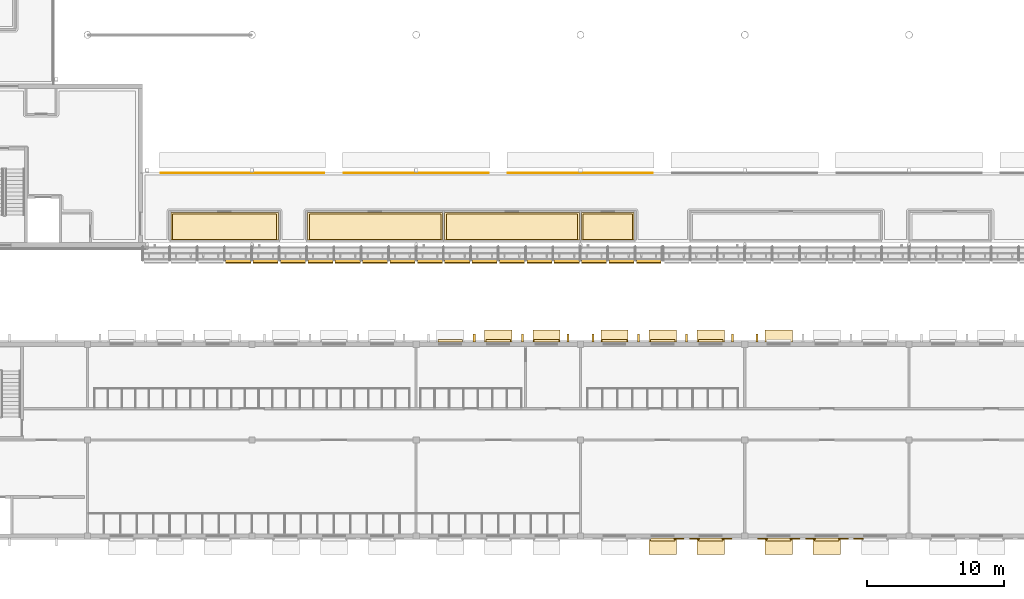
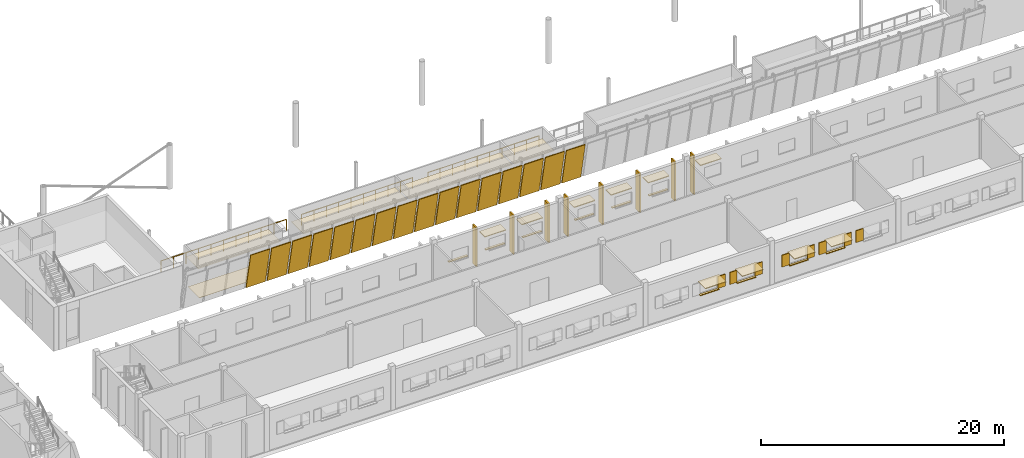
# One storey, part 99 of 115: 32 shading devices, 28 coverings, 3 railings.
"""IFC4 building model written with IfcOpenShell, lengths in metres."""

from ifc_helpers import new_model, si_unit, direction, frame, origin, origin_2d, place, context, subcontext, project, spatial, polyline, circle, outline, extrude, material, layer, layer_set, type_object, element, save


model = new_model("IFC4")

# Units and contexts
model_context = context("Model", 3, precision=1e-05, world=origin(), true_north=direction((0.0, 1.0)))
body_context = subcontext(model_context, "Body", "Model", "MODEL_VIEW")
ifc_project = project(units=[si_unit("LENGTHUNIT", "METRE"), si_unit("AREAUNIT", "SQUARE_METRE"), si_unit("VOLUMEUNIT", "CUBIC_METRE"), si_unit("PLANEANGLEUNIT", "RADIAN"), si_unit("MASSUNIT", "GRAM", prefix="KILO")], contexts=[model_context])

# Site, building, storey
site_placement = place(None, origin())
site = spatial("IfcSite", under=ifc_project, at=site_placement, CompositionType="ELEMENT")
building_placement = place(site_placement, origin())
building = spatial("IfcBuilding", under=site, at=building_placement, Name="Windward Yard Aquatics Centre", CompositionType="ELEMENT")
storey_placement = place(building_placement, frame((0.0, 0.0, 5.0)))
storey = spatial("IfcBuildingStorey", under=building, at=storey_placement, Name="L01", CompositionType="ELEMENT", Elevation=5.0)

# Shading devices
ifc_material_1 = material(Name="Aluminium louvre blades, powder coated", Category="aluminium")
ifc_layer_1 = layer(ifc_material_1, 0.080078125)
ifc_layer_set_1 = layer_set([ifc_layer_1], Name="C storm shutter louvred 700x1200")
shading_device_type_1 = type_object("IfcShadingDeviceType", Name="C storm shutter louvred 700x1200", PredefinedType="SHUTTER", material=ifc_layer_set_1)
shading_device_1_placement = place(storey_placement, frame((0.0, 0.0, 1.39990234375)))
element("IfcShadingDevice", 1, at=shading_device_1_placement, inside=storey, type_object=shading_device_type_1, Name="Storm shutter CW1011R", PredefinedType="SHUTTER", context=body_context, shape_type="SweptSolid", body=[
    extrude(outline(polyline([(102.85009765625, 4.77001953125), (102.85009765625, 4.85009765625), (103.550048828125, 4.85009765625), (103.550048828125, 4.77001953125), (102.85009765625, 4.77001953125)])), origin(), (0.0, 0.0, 1.0), 1.2001953125),
])
shading_device_2_placement = place(storey_placement, frame((0.0, 0.0, 1.39990234375)))
element("IfcShadingDevice", 2, at=shading_device_2_placement, inside=storey, type_object=shading_device_type_1, Name="Storm shutter CW1012L", PredefinedType="SHUTTER", context=body_context, shape_type="SweptSolid", body=[
    extrude(outline(polyline([(103.966796875, 4.77001953125), (103.966796875, 4.85009765625), (104.666748046875, 4.85009765625), (104.666748046875, 4.77001953125), (103.966796875, 4.77001953125)])), origin(), (0.0, 0.0, 1.0), 1.2001953125),
])
shading_device_3_placement = place(storey_placement, frame((0.0, 0.0, 1.39990234375)))
element("IfcShadingDevice", 3, at=shading_device_3_placement, inside=storey, type_object=shading_device_type_1, Name="Storm shutter CW1012R", PredefinedType="SHUTTER", context=body_context, shape_type="SweptSolid", body=[
    extrude(outline(polyline([(106.36669921875, 4.77001953125), (106.36669921875, 4.85009765625), (107.066650390625, 4.85009765625), (107.066650390625, 4.77001953125), (106.36669921875, 4.77001953125)])), origin(), (0.0, 0.0, 1.0), 1.2001953125),
])
shading_device_4_placement = place(storey_placement, frame((0.0, 0.0, 1.39990234375)))
element("IfcShadingDevice", 4, at=shading_device_4_placement, inside=storey, type_object=shading_device_type_1, Name="Storm shutter CW1013L", PredefinedType="SHUTTER", context=body_context, shape_type="SweptSolid", body=[
    extrude(outline(polyline([(108.933349609375, 4.77001953125), (108.933349609375, 4.85009765625), (109.63330078125, 4.85009765625), (109.63330078125, 4.77001953125), (108.933349609375, 4.77001953125)])), origin(), (0.0, 0.0, 1.0), 1.2001953125),
])
shading_device_5_placement = place(storey_placement, frame((0.0, 0.0, 1.39990234375)))
element("IfcShadingDevice", 5, at=shading_device_5_placement, inside=storey, type_object=shading_device_type_1, Name="Storm shutter CW1013R", PredefinedType="SHUTTER", context=body_context, shape_type="SweptSolid", body=[
    extrude(outline(polyline([(111.333251953125, 4.77001953125), (111.333251953125, 4.85009765625), (112.033203125, 4.85009765625), (112.033203125, 4.77001953125), (111.333251953125, 4.77001953125)])), origin(), (0.0, 0.0, 1.0), 1.2001953125),
])
shading_device_6_placement = place(storey_placement, frame((0.0, 0.0, 1.39990234375)))
element("IfcShadingDevice", 6, at=shading_device_6_placement, inside=storey, type_object=shading_device_type_1, Name="Storm shutter CW1014L", PredefinedType="SHUTTER", context=body_context, shape_type="SweptSolid", body=[
    extrude(outline(polyline([(112.449951171875, 4.77001953125), (112.449951171875, 4.85009765625), (113.14990234375, 4.85009765625), (113.14990234375, 4.77001953125), (112.449951171875, 4.77001953125)])), origin(), (0.0, 0.0, 1.0), 1.2001953125),
])
shading_device_7_placement = place(storey_placement, frame((0.0, 0.0, 1.39990234375)))
element("IfcShadingDevice", 7, at=shading_device_7_placement, inside=storey, type_object=shading_device_type_1, Name="Storm shutter CW1014R", PredefinedType="SHUTTER", context=body_context, shape_type="SweptSolid", body=[
    extrude(outline(polyline([(114.85009765625, 4.77001953125), (114.85009765625, 4.85009765625), (115.550048828125, 4.85009765625), (115.550048828125, 4.77001953125), (114.85009765625, 4.77001953125)])), origin(), (0.0, 0.0, 1.0), 1.2001953125),
])
shading_device_8_placement = place(storey_placement, frame((0.0, 0.0, 1.39990234375)))
element("IfcShadingDevice", 8, at=shading_device_8_placement, inside=storey, type_object=shading_device_type_1, Name="Storm shutter CW1015L", PredefinedType="SHUTTER", context=body_context, shape_type="SweptSolid", body=[
    extrude(outline(polyline([(115.966796875, 4.77001953125), (115.966796875, 4.85009765625), (116.666748046875, 4.85009765625), (116.666748046875, 4.77001953125), (115.966796875, 4.77001953125)])), origin(), (0.0, 0.0, 1.0), 1.2001953125),
])
ifc_material_2 = material(Name="Aluminium fin, powder coated", Category="aluminium")
shading_device_type_2 = type_object("IfcShadingDeviceType", Name="C vertical fin 150x600", PredefinedType="USERDEFINED", material=ifc_material_2)
shading_device_9_placement = place(storey_placement, origin())
element("IfcShadingDevice", 9, at=shading_device_9_placement, inside=storey, type_object=shading_device_type_2, Name="Vertical fin C.W.L01.N4.2.1", ObjectType="FIN", PredefinedType="USERDEFINED", context=body_context, shape_type="SweptSolid", body=[
    extrude(outline(polyline([(88.16650390625, 19.14990234375), (88.316650390625, 19.14990234375), (88.316650390625, 19.75), (88.16650390625, 19.75), (88.16650390625, 19.14990234375)])), origin(), (0.0, 0.0, 1.0), 3.929931640625),
])
shading_device_10_placement = place(storey_placement, origin())
element("IfcShadingDevice", 10, at=shading_device_10_placement, inside=storey, type_object=shading_device_type_2, Name="Vertical fin C.W.L01.N4.3.1", ObjectType="FIN", PredefinedType="USERDEFINED", context=body_context, shape_type="SweptSolid", body=[
    extrude(outline(polyline([(91.683349609375, 19.14990234375), (91.833251953125, 19.14990234375), (91.833251953125, 19.75), (91.683349609375, 19.75), (91.683349609375, 19.14990234375)])), origin(), (0.0, 0.0, 1.0), 3.929931640625),
])
shading_device_11_placement = place(storey_placement, origin())
element("IfcShadingDevice", 11, at=shading_device_11_placement, inside=storey, type_object=shading_device_type_2, Name="Vertical fin C.W.L01.N4.4.1", ObjectType="FIN", PredefinedType="USERDEFINED", context=body_context, shape_type="SweptSolid", body=[
    extrude(outline(polyline([(95.020751953125, 19.14990234375), (95.1708984375, 19.14990234375), (95.1708984375, 19.75), (95.020751953125, 19.75), (95.020751953125, 19.14990234375)])), origin(), (0.0, 0.0, 1.0), 3.929931640625),
])
shading_device_12_placement = place(storey_placement, origin())
element("IfcShadingDevice", 12, at=shading_device_12_placement, inside=storey, type_object=shading_device_type_2, Name="Vertical fin C.W.L01.N5.1.1", ObjectType="FIN", PredefinedType="USERDEFINED", context=body_context, shape_type="SweptSolid", body=[
    extrude(outline(polyline([(96.8291015625, 19.14990234375), (96.97900390625, 19.14990234375), (96.97900390625, 19.75), (96.8291015625, 19.75), (96.8291015625, 19.14990234375)])), origin(), (0.0, 0.0, 1.0), 3.929931640625),
])
shading_device_13_placement = place(storey_placement, origin())
element("IfcShadingDevice", 13, at=shading_device_13_placement, inside=storey, type_object=shading_device_type_2, Name="Vertical fin C.W.L01.N5.2.1", ObjectType="FIN", PredefinedType="USERDEFINED", context=body_context, shape_type="SweptSolid", body=[
    extrude(outline(polyline([(100.16650390625, 19.14990234375), (100.316650390625, 19.14990234375), (100.316650390625, 19.75), (100.16650390625, 19.75), (100.16650390625, 19.14990234375)])), origin(), (0.0, 0.0, 1.0), 3.929931640625),
])
shading_device_14_placement = place(storey_placement, origin())
element("IfcShadingDevice", 14, at=shading_device_14_placement, inside=storey, type_object=shading_device_type_2, Name="Vertical fin C.W.L01.N5.3.1", ObjectType="FIN", PredefinedType="USERDEFINED", context=body_context, shape_type="SweptSolid", body=[
    extrude(outline(polyline([(103.683349609375, 19.14990234375), (103.833251953125, 19.14990234375), (103.833251953125, 19.75), (103.683349609375, 19.75), (103.683349609375, 19.14990234375)])), origin(), (0.0, 0.0, 1.0), 3.929931640625),
])
shading_device_15_placement = place(storey_placement, origin())
element("IfcShadingDevice", 15, at=shading_device_15_placement, inside=storey, type_object=shading_device_type_2, Name="Vertical fin C.W.L01.N5.4.1", ObjectType="FIN", PredefinedType="USERDEFINED", context=body_context, shape_type="SweptSolid", body=[
    extrude(outline(polyline([(107.020751953125, 19.14990234375), (107.1708984375, 19.14990234375), (107.1708984375, 19.75), (107.020751953125, 19.75), (107.020751953125, 19.14990234375)])), origin(), (0.0, 0.0, 1.0), 3.929931640625),
])
shading_device_16_placement = place(storey_placement, origin())
element("IfcShadingDevice", 16, at=shading_device_16_placement, inside=storey, type_object=shading_device_type_2, Name="Vertical fin C.W.L01.N6.1.1", ObjectType="FIN", PredefinedType="USERDEFINED", context=body_context, shape_type="SweptSolid", body=[
    extrude(outline(polyline([(108.8291015625, 19.14990234375), (108.97900390625, 19.14990234375), (108.97900390625, 19.75), (108.8291015625, 19.75), (108.8291015625, 19.14990234375)])), origin(), (0.0, 0.0, 1.0), 3.929931640625),
])

# Coverings
ifc_material_3 = material(Name="Aluminium composite hood, powder coated", Category="aluminium")
ifc_layer_2 = layer(ifc_material_3, 0.080078125)
ifc_layer_set_2 = layer_set([ifc_layer_2], Name="C window hood aluminium 2000x1200")
covering_type_1 = type_object("IfcCoveringType", Name="C window hood aluminium 2000x1200", PredefinedType="CLADDING", material=ifc_layer_set_2)
covering_1_placement = place(storey_placement, frame((0.0, 0.0, 2.64990234375)))
element("IfcCovering", 17, at=covering_1_placement, inside=storey, type_object=covering_type_1, Name="Window hood CW1011", PredefinedType="CLADDING", context=body_context, shape_type="SweptSolid", body=[
    extrude(outline(polyline([(101.0, 3.64990234375), (101.0, 4.85009765625), (103.0, 4.85009765625), (103.0, 3.64990234375), (101.0, 3.64990234375)])), origin(), (0.0, 0.0, 1.0), 0.080078125),
])
covering_2_placement = place(storey_placement, frame((0.0, 0.0, 2.64990234375)))
element("IfcCovering", 18, at=covering_2_placement, inside=storey, type_object=covering_type_1, Name="Window hood CW1012", PredefinedType="CLADDING", context=body_context, shape_type="SweptSolid", body=[
    extrude(outline(polyline([(104.5166015625, 3.64990234375), (104.5166015625, 4.85009765625), (106.5166015625, 4.85009765625), (106.5166015625, 3.64990234375), (104.5166015625, 3.64990234375)])), origin(), (0.0, 0.0, 1.0), 0.080078125),
])
covering_3_placement = place(storey_placement, frame((0.0, 0.0, 2.64990234375)))
element("IfcCovering", 19, at=covering_3_placement, inside=storey, type_object=covering_type_1, Name="Window hood CW1013", PredefinedType="CLADDING", context=body_context, shape_type="SweptSolid", body=[
    extrude(outline(polyline([(109.4833984375, 3.64990234375), (109.4833984375, 4.85009765625), (111.4833984375, 4.85009765625), (111.4833984375, 3.64990234375), (109.4833984375, 3.64990234375)])), origin(), (0.0, 0.0, 1.0), 0.080078125),
])
covering_4_placement = place(storey_placement, frame((0.0, 0.0, 2.64990234375)))
element("IfcCovering", 20, at=covering_4_placement, inside=storey, type_object=covering_type_1, Name="Window hood CW1014", PredefinedType="CLADDING", context=body_context, shape_type="SweptSolid", body=[
    extrude(outline(polyline([(113.0, 3.64990234375), (113.0, 4.85009765625), (115.0, 4.85009765625), (115.0, 3.64990234375), (113.0, 3.64990234375)])), origin(), (0.0, 0.0, 1.0), 0.080078125),
])
ifc_layer_3 = layer(ifc_material_3, 0.080078125)
ifc_layer_set_3 = layer_set([ifc_layer_3], Name="C window hood aluminium 2000x900")
covering_type_2 = type_object("IfcCoveringType", Name="C window hood aluminium 2000x900", PredefinedType="CLADDING", material=ifc_layer_set_3)
covering_5_placement = place(storey_placement, frame((0.0, 0.0, 2.64990234375)))
element("IfcCovering", 21, at=covering_5_placement, inside=storey, type_object=covering_type_2, Name="Window hood CW1029", PredefinedType="CLADDING", context=body_context, shape_type="SweptSolid", body=[
    extrude(outline(polyline([(89.0, 19.14990234375), (91.0, 19.14990234375), (91.0, 20.050048828125), (89.0, 20.050048828125), (89.0, 19.14990234375)])), origin(), (0.0, 0.0, 1.0), 0.080078125),
])
covering_6_placement = place(storey_placement, frame((0.0, 0.0, 2.64990234375)))
element("IfcCovering", 22, at=covering_6_placement, inside=storey, type_object=covering_type_2, Name="Window hood CW1030", PredefinedType="CLADDING", context=body_context, shape_type="SweptSolid", body=[
    extrude(outline(polyline([(92.5166015625, 19.14990234375), (94.5166015625, 19.14990234375), (94.5166015625, 20.050048828125), (92.5166015625, 20.050048828125), (92.5166015625, 19.14990234375)])), origin(), (0.0, 0.0, 1.0), 0.080078125),
])
covering_7_placement = place(storey_placement, frame((0.0, 0.0, 2.64990234375)))
element("IfcCovering", 23, at=covering_7_placement, inside=storey, type_object=covering_type_2, Name="Window hood CW1031", PredefinedType="CLADDING", context=body_context, shape_type="SweptSolid", body=[
    extrude(outline(polyline([(97.4833984375, 19.14990234375), (99.4833984375, 19.14990234375), (99.4833984375, 20.050048828125), (97.4833984375, 20.050048828125), (97.4833984375, 19.14990234375)])), origin(), (0.0, 0.0, 1.0), 0.080078125),
])
covering_8_placement = place(storey_placement, frame((0.0, 0.0, 2.64990234375)))
element("IfcCovering", 24, at=covering_8_placement, inside=storey, type_object=covering_type_2, Name="Window hood CW1032", PredefinedType="CLADDING", context=body_context, shape_type="SweptSolid", body=[
    extrude(outline(polyline([(101.0, 19.14990234375), (103.0, 19.14990234375), (103.0, 20.050048828125), (101.0, 20.050048828125), (101.0, 19.14990234375)])), origin(), (0.0, 0.0, 1.0), 0.080078125),
])
covering_9_placement = place(storey_placement, frame((0.0, 0.0, 2.64990234375)))
element("IfcCovering", 25, at=covering_9_placement, inside=storey, type_object=covering_type_2, Name="Window hood CW1033", PredefinedType="CLADDING", context=body_context, shape_type="SweptSolid", body=[
    extrude(outline(polyline([(104.5166015625, 19.14990234375), (106.5166015625, 19.14990234375), (106.5166015625, 20.050048828125), (104.5166015625, 20.050048828125), (104.5166015625, 19.14990234375)])), origin(), (0.0, 0.0, 1.0), 0.080078125),
])
covering_10_placement = place(storey_placement, frame((0.0, 0.0, 2.64990234375)))
element("IfcCovering", 26, at=covering_10_placement, inside=storey, type_object=covering_type_2, Name="Window hood CW1034", PredefinedType="CLADDING", context=body_context, shape_type="SweptSolid", body=[
    extrude(outline(polyline([(109.4833984375, 19.14990234375), (111.4833984375, 19.14990234375), (111.4833984375, 20.050048828125), (109.4833984375, 20.050048828125), (109.4833984375, 19.14990234375)])), origin(), (0.0, 0.0, 1.0), 0.080078125),
])
ifc_material_4 = material(Name="Limestone sill", Category="masonry")
ifc_layer_4 = layer(ifc_material_4, 0.080078125)
ifc_layer_set_4 = layer_set([ifc_layer_4], Name="C window sill stone 1800x200")
covering_type_3 = type_object("IfcCoveringType", Name="C window sill stone 1800x200", PredefinedType="CLADDING", material=ifc_layer_set_4)
covering_11_placement = place(storey_placement, frame((0.0, 0.0, 1.320068359375)))
element("IfcCovering", 27, at=covering_11_placement, inside=storey, type_object=covering_type_3, Name="Window sill CW1028", PredefinedType="CLADDING", context=body_context, shape_type="SweptSolid", body=[
    extrude(outline(polyline([(85.583251953125, 19.14990234375), (87.38330078125, 19.14990234375), (87.38330078125, 19.35009765625), (85.583251953125, 19.35009765625), (85.583251953125, 19.14990234375)])), origin(), (0.0, 0.0, 1.0), 0.079833984375),
])
covering_12_placement = place(storey_placement, frame((0.0, 0.0, 1.320068359375)))
element("IfcCovering", 28, at=covering_12_placement, inside=storey, type_object=covering_type_3, Name="Window sill CW1029", PredefinedType="CLADDING", context=body_context, shape_type="SweptSolid", body=[
    extrude(outline(polyline([(89.10009765625, 19.14990234375), (90.89990234375, 19.14990234375), (90.89990234375, 19.35009765625), (89.10009765625, 19.35009765625), (89.10009765625, 19.14990234375)])), origin(), (0.0, 0.0, 1.0), 0.079833984375),
])
covering_13_placement = place(storey_placement, frame((0.0, 0.0, 1.320068359375)))
element("IfcCovering", 29, at=covering_13_placement, inside=storey, type_object=covering_type_3, Name="Window sill CW1030", PredefinedType="CLADDING", context=body_context, shape_type="SweptSolid", body=[
    extrude(outline(polyline([(92.61669921875, 19.14990234375), (94.416748046875, 19.14990234375), (94.416748046875, 19.35009765625), (92.61669921875, 19.35009765625), (92.61669921875, 19.14990234375)])), origin(), (0.0, 0.0, 1.0), 0.079833984375),
])
covering_14_placement = place(storey_placement, frame((0.0, 0.0, 1.320068359375)))
element("IfcCovering", 30, at=covering_14_placement, inside=storey, type_object=covering_type_3, Name="Window sill CW1031", PredefinedType="CLADDING", context=body_context, shape_type="SweptSolid", body=[
    extrude(outline(polyline([(97.583251953125, 19.14990234375), (99.38330078125, 19.14990234375), (99.38330078125, 19.35009765625), (97.583251953125, 19.35009765625), (97.583251953125, 19.14990234375)])), origin(), (0.0, 0.0, 1.0), 0.079833984375),
])
covering_15_placement = place(storey_placement, frame((0.0, 0.0, 1.320068359375)))
element("IfcCovering", 31, at=covering_15_placement, inside=storey, type_object=covering_type_3, Name="Window sill CW1032", PredefinedType="CLADDING", context=body_context, shape_type="SweptSolid", body=[
    extrude(outline(polyline([(101.10009765625, 19.14990234375), (102.89990234375, 19.14990234375), (102.89990234375, 19.35009765625), (101.10009765625, 19.35009765625), (101.10009765625, 19.14990234375)])), origin(), (0.0, 0.0, 1.0), 0.079833984375),
])
covering_16_placement = place(storey_placement, frame((0.0, 0.0, 1.320068359375)))
element("IfcCovering", 32, at=covering_16_placement, inside=storey, type_object=covering_type_3, Name="Window sill CW1033", PredefinedType="CLADDING", context=body_context, shape_type="SweptSolid", body=[
    extrude(outline(polyline([(104.61669921875, 19.14990234375), (106.416748046875, 19.14990234375), (106.416748046875, 19.35009765625), (104.61669921875, 19.35009765625), (104.61669921875, 19.14990234375)])), origin(), (0.0, 0.0, 1.0), 0.079833984375),
])
covering_17_placement = place(storey_placement, frame((0.0, 0.0, 1.320068359375)))
element("IfcCovering", 33, at=covering_17_placement, inside=storey, type_object=covering_type_3, Name="Window sill CW1011", PredefinedType="CLADDING", context=body_context, shape_type="SweptSolid", body=[
    extrude(outline(polyline([(101.10009765625, 4.64990234375), (101.10009765625, 4.85009765625), (102.89990234375, 4.85009765625), (102.89990234375, 4.64990234375), (101.10009765625, 4.64990234375)])), origin(), (0.0, 0.0, 1.0), 0.079833984375),
])
covering_18_placement = place(storey_placement, frame((0.0, 0.0, 1.320068359375)))
element("IfcCovering", 34, at=covering_18_placement, inside=storey, type_object=covering_type_3, Name="Window sill CW1012", PredefinedType="CLADDING", context=body_context, shape_type="SweptSolid", body=[
    extrude(outline(polyline([(104.61669921875, 4.64990234375), (104.61669921875, 4.85009765625), (106.416748046875, 4.85009765625), (106.416748046875, 4.64990234375), (104.61669921875, 4.64990234375)])), origin(), (0.0, 0.0, 1.0), 0.079833984375),
])
covering_19_placement = place(storey_placement, frame((0.0, 0.0, 1.320068359375)))
element("IfcCovering", 35, at=covering_19_placement, inside=storey, type_object=covering_type_3, Name="Window sill CW1013", PredefinedType="CLADDING", context=body_context, shape_type="SweptSolid", body=[
    extrude(outline(polyline([(109.583251953125, 4.64990234375), (109.583251953125, 4.85009765625), (111.38330078125, 4.85009765625), (111.38330078125, 4.64990234375), (109.583251953125, 4.64990234375)])), origin(), (0.0, 0.0, 1.0), 0.079833984375),
])
covering_20_placement = place(storey_placement, frame((0.0, 0.0, 1.320068359375)))
element("IfcCovering", 36, at=covering_20_placement, inside=storey, type_object=covering_type_3, Name="Window sill CW1014", PredefinedType="CLADDING", context=body_context, shape_type="SweptSolid", body=[
    extrude(outline(polyline([(113.10009765625, 4.64990234375), (113.10009765625, 4.85009765625), (114.89990234375, 4.85009765625), (114.89990234375, 4.64990234375), (113.10009765625, 4.64990234375)])), origin(), (0.0, 0.0, 1.0), 0.079833984375),
])
ifc_material_5 = material(Name="Polished screed")
ifc_layer_5 = layer(ifc_material_5, 0.0400390625)
ifc_layer_set_5 = layer_set([ifc_layer_5], Name="H Floor Finish Screed 40")
covering_type_4 = type_object("IfcCoveringType", Name="H Floor Finish Screed 40", PredefinedType="FLOORING", material=ifc_layer_set_5)
covering_21_placement = place(storey_placement, origin())
element("IfcCovering", 37, at=covering_21_placement, inside=storey, type_object=covering_type_4, Name="Kiosk floor finish", PredefinedType="FLOORING", context=body_context, shape_type="SweptSolid", body=[
    extrude(outline(polyline([(66.199951171875, 26.64990234375), (66.199951171875, 28.5), (73.800048828125, 28.5), (73.800048828125, 26.64990234375), (66.199951171875, 26.64990234375)])), origin(), (0.0, 0.0, 1.0), 0.02001953125),
])
ifc_material_6 = material(Name="Ceramic tile")
ifc_layer_6 = layer(ifc_material_6, 0.02001953125)
ifc_layer_set_6 = layer_set([ifc_layer_6], Name="H Floor Finish Tile 20")
covering_type_5 = type_object("IfcCoveringType", Name="H Floor Finish Tile 20", PredefinedType="FLOORING", material=ifc_layer_set_6)
covering_22_placement = place(storey_placement, origin())
element("IfcCovering", 38, at=covering_22_placement, inside=storey, type_object=covering_type_5, Name="Spectator WC Men floor finish", PredefinedType="FLOORING", context=body_context, shape_type="SweptSolid", body=[
    extrude(outline(polyline([(76.199951171875, 26.64990234375), (76.199951171875, 28.5), (85.800048828125, 28.5), (85.800048828125, 26.64990234375), (76.199951171875, 26.64990234375)])), origin(), (0.0, 0.0, 1.0), 0.02001953125),
])
covering_23_placement = place(storey_placement, origin())
element("IfcCovering", 39, at=covering_23_placement, inside=storey, type_object=covering_type_5, Name="Spectator WC Women floor finish", PredefinedType="FLOORING", context=body_context, shape_type="SweptSolid", body=[
    extrude(outline(polyline([(86.199951171875, 26.64990234375), (86.199951171875, 28.5), (95.800048828125, 28.5), (95.800048828125, 26.64990234375), (86.199951171875, 26.64990234375)])), origin(), (0.0, 0.0, 1.0), 0.02001953125),
])
covering_24_placement = place(storey_placement, origin())
element("IfcCovering", 40, at=covering_24_placement, inside=storey, type_object=covering_type_5, Name="Accessible WC floor finish", PredefinedType="FLOORING", context=body_context, shape_type="SweptSolid", body=[
    extrude(outline(polyline([(96.199951171875, 26.64990234375), (96.199951171875, 28.5), (99.800048828125, 28.5), (99.800048828125, 26.64990234375), (96.199951171875, 26.64990234375)])), origin(), (0.0, 0.0, 1.0), 0.02001953125),
])

# Railings
ifc_material_7 = material(Name="Stainless steel 1.4529", Category="steel")
railing_type = type_object("IfcRailingType", Name="H Guard Steel 1100", PredefinedType="GUARDRAIL", material=ifc_material_7)
railing_placement = place(storey_placement, frame((65.35009765625, 31.509521484375, 0.0)))
element("IfcRailing", 41, at=railing_placement, inside=storey, type_object=railing_type, Name="Concourse edge guard S2", PredefinedType="GUARDRAIL", context=body_context, shape_type="SweptSolid", body=[
    extrude(circle(Radius=0.02392578125, at=origin_2d()), frame((0.0, 0.0, 1.076171875), z_axis=(1.0, 0.0, 0.0), x_axis=(0.0, 1.0, 0.0)), (0.0, 0.0, 1.0), 11.9248046875),
    extrude(circle(Radius=0.02099609375, at=origin_2d()), origin(), (0.0, 0.0, 1.0), 1.052001953125),
    extrude(circle(Radius=0.02099609375, at=origin_2d()), frame((1.1923828125, 0.0, 0.0)), (0.0, 0.0, 1.0), 1.052001953125),
    extrude(circle(Radius=0.02099609375, at=origin_2d()), frame((2.385009765625, 0.0, 0.0)), (0.0, 0.0, 1.0), 1.052001953125),
    extrude(circle(Radius=0.02099609375, at=origin_2d()), frame((3.577392578125, 0.0, 0.0)), (0.0, 0.0, 1.0), 1.052001953125),
    extrude(circle(Radius=0.02099609375, at=origin_2d()), frame((4.77001953125, 0.0, 0.0)), (0.0, 0.0, 1.0), 1.052001953125),
    extrude(circle(Radius=0.02099609375, at=origin_2d()), frame((5.96240234375, 0.0, 0.0)), (0.0, 0.0, 1.0), 1.052001953125),
    extrude(circle(Radius=0.02099609375, at=origin_2d()), frame((7.15478515625, 0.0, 0.0)), (0.0, 0.0, 1.0), 1.052001953125),
    extrude(circle(Radius=0.02099609375, at=origin_2d()), frame((8.347412109375, 0.0, 0.0)), (0.0, 0.0, 1.0), 1.052001953125),
    extrude(circle(Radius=0.02099609375, at=origin_2d()), frame((9.539794921875, 0.0, 0.0)), (0.0, 0.0, 1.0), 1.052001953125),
    extrude(circle(Radius=0.02099609375, at=origin_2d()), frame((10.732421875, 0.0, 0.0)), (0.0, 0.0, 1.0), 1.052001953125),
    extrude(circle(Radius=0.02099609375, at=origin_2d()), frame((11.9248046875, 0.0, 0.0)), (0.0, 0.0, 1.0), 1.052001953125),
])
for number, where, name in (
    (42, (78.72509765625, 31.509521484375, 0.0), "Concourse edge guard S3"),
    (43, (90.72509765625, 31.509521484375, 0.0), "Concourse edge guard S4"),
):
    element("IfcRailing", number, at=place(storey_placement, frame(where)), inside=storey, type_object=railing_type, Name=name, PredefinedType="GUARDRAIL", context=body_context, shape_type="SweptSolid", body=[
        extrude(circle(Radius=0.02392578125, at=origin_2d()), frame((0.0, 0.0, 1.076171875), z_axis=(1.0, 0.0, 0.0), x_axis=(0.0, 1.0, 0.0)), (0.0, 0.0, 1.0), 10.5498046875),
        extrude(circle(Radius=0.02099609375, at=origin_2d()), origin(), (0.0, 0.0, 1.0), 1.052001953125),
        extrude(circle(Radius=0.02099609375, at=origin_2d()), frame((1.172119140625, 0.0, 0.0)), (0.0, 0.0, 1.0), 1.052001953125),
        extrude(circle(Radius=0.02099609375, at=origin_2d()), frame((2.344482421875, 0.0, 0.0)), (0.0, 0.0, 1.0), 1.052001953125),
        extrude(circle(Radius=0.02099609375, at=origin_2d()), frame((3.5166015625, 0.0, 0.0)), (0.0, 0.0, 1.0), 1.052001953125),
        extrude(circle(Radius=0.02099609375, at=origin_2d()), frame((4.688720703125, 0.0, 0.0)), (0.0, 0.0, 1.0), 1.052001953125),
        extrude(circle(Radius=0.02099609375, at=origin_2d()), frame((5.861083984375, 0.0, 0.0)), (0.0, 0.0, 1.0), 1.052001953125),
        extrude(circle(Radius=0.02099609375, at=origin_2d()), frame((7.033203125, 0.0, 0.0)), (0.0, 0.0, 1.0), 1.052001953125),
        extrude(circle(Radius=0.02099609375, at=origin_2d()), frame((8.205322265625, 0.0, 0.0)), (0.0, 0.0, 1.0), 1.052001953125),
        extrude(circle(Radius=0.02099609375, at=origin_2d()), frame((9.377685546875, 0.0, 0.0)), (0.0, 0.0, 1.0), 1.052001953125),
        extrude(circle(Radius=0.02099609375, at=origin_2d()), frame((10.5498046875, 0.0, 0.0)), (0.0, 0.0, 1.0), 1.052001953125),
    ])

# Coverings
ifc_material_8 = material(Name="Aluminium plank", Category="aluminium")
ifc_layer_7 = layer(ifc_material_8, 0.02001953125)
ifc_layer_set_7 = layer_set([ifc_layer_7], Name="H Moisture Resistant Ceiling")
covering_type_6 = type_object("IfcCoveringType", Name="H Moisture Resistant Ceiling", PredefinedType="CEILING", material=ifc_layer_set_7)
covering_25_placement = place(storey_placement, frame((0.0, 0.0, 3.0)))
element("IfcCovering", 44, at=covering_25_placement, inside=storey, type_object=covering_type_6, Name="Spectator WC Men ceiling", PredefinedType="CEILING", context=body_context, shape_type="SweptSolid", body=[
    extrude(outline(polyline([(76.075439453125, 26.6005859375), (76.075439453125, 28.62451171875), (85.924560546875, 28.62451171875), (85.924560546875, 26.6005859375), (76.075439453125, 26.6005859375)])), origin(), (0.0, 0.0, 1.0), 0.02001953125),
])
covering_26_placement = place(storey_placement, frame((0.0, 0.0, 3.0)))
element("IfcCovering", 45, at=covering_26_placement, inside=storey, type_object=covering_type_6, Name="Spectator WC Women ceiling", PredefinedType="CEILING", context=body_context, shape_type="SweptSolid", body=[
    extrude(outline(polyline([(86.075439453125, 26.6005859375), (86.075439453125, 28.62451171875), (95.924560546875, 28.62451171875), (95.924560546875, 26.6005859375), (86.075439453125, 26.6005859375)])), origin(), (0.0, 0.0, 1.0), 0.02001953125),
])
covering_27_placement = place(storey_placement, frame((0.0, 0.0, 3.0)))
element("IfcCovering", 46, at=covering_27_placement, inside=storey, type_object=covering_type_6, Name="Accessible WC ceiling", PredefinedType="CEILING", context=body_context, shape_type="SweptSolid", body=[
    extrude(outline(polyline([(96.075439453125, 26.6005859375), (96.075439453125, 28.62451171875), (99.924560546875, 28.62451171875), (99.924560546875, 26.6005859375), (96.075439453125, 26.6005859375)])), origin(), (0.0, 0.0, 1.0), 0.02001953125),
])
ifc_material_9 = material(Name="Mineral fibre tile")
ifc_layer_8 = layer(ifc_material_9, 0.02001953125)
ifc_layer_set_8 = layer_set([ifc_layer_8], Name="H Suspended Ceiling 600 x 600")
covering_type_7 = type_object("IfcCoveringType", Name="H Suspended Ceiling 600 x 600", PredefinedType="CEILING", material=ifc_layer_set_8)
covering_28_placement = place(storey_placement, frame((0.0, 0.0, 3.0)))
element("IfcCovering", 47, at=covering_28_placement, inside=storey, type_object=covering_type_7, Name="Kiosk ceiling", PredefinedType="CEILING", context=body_context, shape_type="SweptSolid", body=[
    extrude(outline(polyline([(66.075439453125, 26.6005859375), (66.075439453125, 28.62451171875), (73.924560546875, 28.62451171875), (73.924560546875, 26.6005859375), (66.075439453125, 26.6005859375)])), origin(), (0.0, 0.0, 1.0), 0.02001953125),
])

# Shading devices
ifc_material_10 = material(Name="Aluminium extruded louvre blades, powder coated", Category="aluminium")
ifc_layer_9 = layer(ifc_material_10, 0.080078125)
ifc_layer_set_9 = layer_set([ifc_layer_9], Name="H storm louvre shutter 1802x3790")
shading_device_type_3 = type_object("IfcShadingDeviceType", Name="H storm louvre shutter 1802x3790", PredefinedType="SHUTTER", material=ifc_layer_set_9)
for number, where, z_axis, x_axis, name in (
    (48, (70.081787109375, 24.989501953125, 4.000732421875), (0.0, 0.979926212575, 0.199360522443), (0.0, 0.199360522443, -0.979926212575), "Storm louvre S L01 A4"),
    (49, (72.08154296875, 24.989501953125, 4.000732421875), (0.0, 0.979926212575, 0.199360522443), (0.0, 0.199360522443, -0.979926212575), "Storm louvre S L01 A5"),
    (50, (74.081298828125, 24.989501953125, 4.000732421875), (0.0, 0.979926212575, 0.199360522443), (0.0, 0.199360522443, -0.979926212575), "Storm louvre S L01 A6"),
):
    element("IfcShadingDevice", number, at=place(storey_placement, frame(where, z_axis=z_axis, x_axis=x_axis)), inside=storey, type_object=shading_device_type_3, Name=name, PredefinedType="SHUTTER", context=body_context, shape_type="SweptSolid", body=[
        extrude(outline(polyline([(0.0, 0.0), (3.790195, 0.0), (3.790195, -1.834717), (0.0, -1.834717), (0.0, 0.0)])), origin(), (0.0, 0.0, -1.0), 0.080078125),
    ])
shading_device_17_placement = place(storey_placement, frame((76.080810546875, 24.989501953125, 4.000732421875), z_axis=(0.0, 0.979926212575, 0.199360522443), x_axis=(0.0, 0.199360522443, -0.979926212575)))
element("IfcShadingDevice", 51, at=shading_device_17_placement, inside=storey, type_object=shading_device_type_3, Name="Storm louvre S L01 A7", PredefinedType="SHUTTER", context=body_context, shape_type="SweptSolid", body=[
    extrude(outline(polyline([(0.0, 0.0), (3.790195, 0.0), (3.790195, -1.834961), (0.0, -1.834961), (0.0, 0.0)])), origin(), (0.0, 0.0, -1.0), 0.080078125),
])
for number, where, z_axis, x_axis, name in (
    (52, (78.08056640625, 24.989501953125, 4.000732421875), (0.0, 0.979926212575, 0.199360522443), (0.0, 0.199360522443, -0.979926212575), "Storm louvre S L01 A8"),
    (53, (80.080322265625, 24.989501953125, 4.000732421875), (0.0, 0.979926212575, 0.199360522443), (0.0, 0.199360522443, -0.979926212575), "Storm louvre S L01 A9"),
    (54, (82.080078125, 24.989501953125, 4.000732421875), (0.0, 0.979926212575, 0.199360522443), (0.0, 0.199360522443, -0.979926212575), "Storm louvre S L01 A10"),
    (55, (84.079833984375, 24.989501953125, 4.000732421875), (0.0, 0.979926212575, 0.199360522443), (0.0, 0.199360522443, -0.979926212575), "Storm louvre S L01 A11"),
    (56, (86.07958984375, 24.989501953125, 4.000732421875), (0.0, 0.979926212575, 0.199360522443), (0.0, 0.199360522443, -0.979926212575), "Storm louvre S L01 A12"),
    (57, (88.079345703125, 24.989501953125, 4.000732421875), (0.0, 0.979926212575, 0.199360522443), (0.0, 0.199360522443, -0.979926212575), "Storm louvre S L01 A13"),
    (58, (90.0791015625, 24.989501953125, 4.000732421875), (0.0, 0.979926212575, 0.199360522443), (0.0, 0.199360522443, -0.979926212575), "Storm louvre S L01 A14"),
    (59, (92.078857421875, 24.989501953125, 4.000732421875), (0.0, 0.979926212575, 0.199360522443), (0.0, 0.199360522443, -0.979926212575), "Storm louvre S L01 A15"),
    (60, (94.07861328125, 24.989501953125, 4.000732421875), (0.0, 0.979926212575, 0.199360522443), (0.0, 0.199360522443, -0.979926212575), "Storm louvre S L01 A16"),
    (61, (96.078369140625, 24.989501953125, 4.000732421875), (0.0, 0.979926212575, 0.199360522443), (0.0, 0.199360522443, -0.979926212575), "Storm louvre S L01 A17"),
    (62, (98.078125, 24.989501953125, 4.000732421875), (0.0, 0.979926212575, 0.199360522443), (0.0, 0.199360522443, -0.979926212575), "Storm louvre S L01 A18"),
):
    element("IfcShadingDevice", number, at=place(storey_placement, frame(where, z_axis=z_axis, x_axis=x_axis)), inside=storey, type_object=shading_device_type_3, Name=name, PredefinedType="SHUTTER", context=body_context, shape_type="SweptSolid", body=[
        extrude(outline(polyline([(0.0, 0.0), (3.790195, 0.0), (3.790195, -1.834717), (0.0, -1.834717), (0.0, 0.0)])), origin(), (0.0, 0.0, -1.0), 0.080078125),
    ])
shading_device_18_placement = place(storey_placement, frame((100.077880859375, 24.989501953125, 4.000732421875), z_axis=(0.0, 0.979926212575, 0.199360522443), x_axis=(0.0, 0.199360522443, -0.979926212575)))
element("IfcShadingDevice", 63, at=shading_device_18_placement, inside=storey, type_object=shading_device_type_3, Name="Storm louvre S L01 A19", PredefinedType="SHUTTER", context=body_context, shape_type="SweptSolid", body=[
    extrude(outline(polyline([(0.0, 0.0), (3.790195, 0.0), (3.790195, -1.802002), (0.0, -1.802002), (0.0, 0.0)])), origin(), (0.0, 0.0, -1.0), 0.080078125),
])

save(model, "model.ifc")
